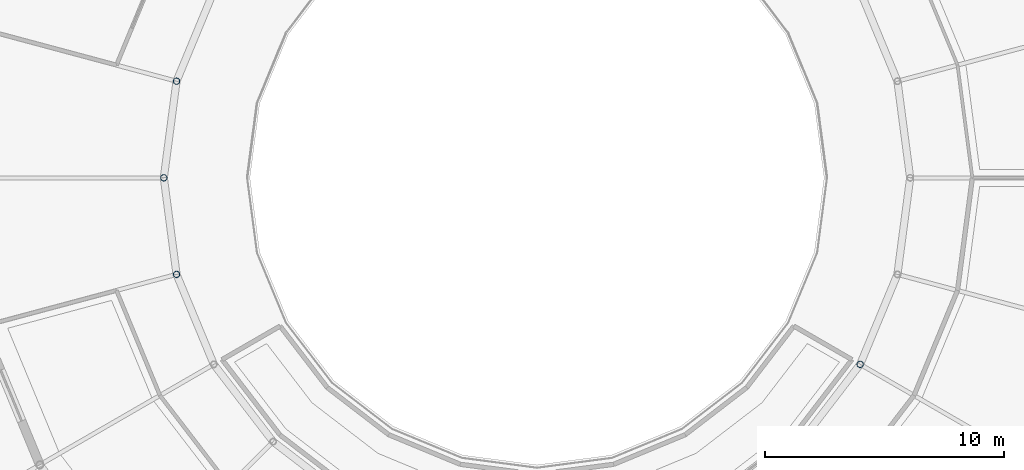
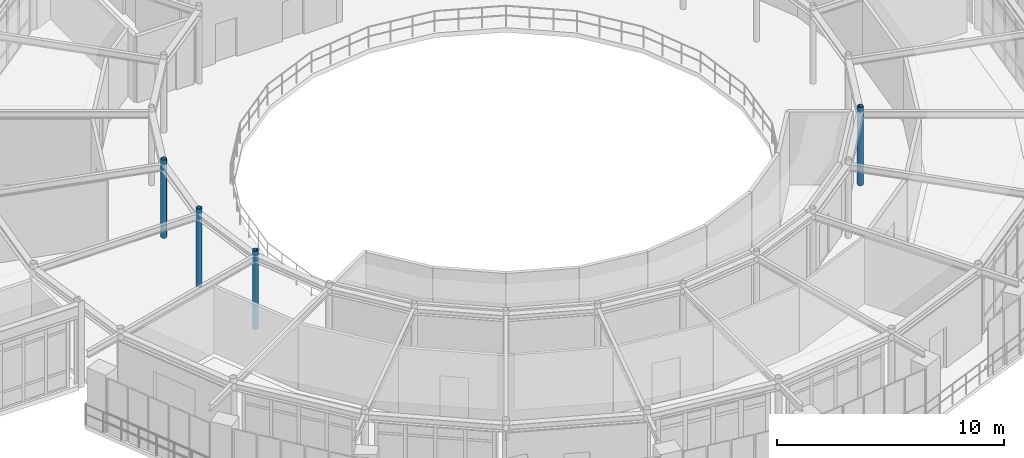
# One storey, part 8 of 90: 4 columns.
"""IFC4 building model written with IfcOpenShell, lengths in metres."""

from ifc_helpers import new_model, si_unit, derived_unit, direction, frame, origin, origin_2d, place, context, subcontext, project, spatial, hollow_circle, extrude, material, material_profile, profile_set, type_object, element, save


model = new_model("IFC4")

# Units and contexts
model_context = context("Model", 3, precision=1e-05, world=origin(), true_north=direction((0.0, 1.0)))
body_context = subcontext(model_context, "Body", "Model", "MODEL_VIEW")
ifc_project = project(units=[si_unit("LENGTHUNIT", "METRE"), si_unit("AREAUNIT", "SQUARE_METRE"), si_unit("VOLUMEUNIT", "CUBIC_METRE"), si_unit("PLANEANGLEUNIT", "RADIAN"), si_unit("MASSUNIT", "GRAM", prefix="KILO"), derived_unit("THERMALTRANSMITTANCEUNIT", [(si_unit("POWERUNIT", "WATT"), 1), (si_unit("AREAUNIT", "SQUARE_METRE"), -1), (si_unit("THERMODYNAMICTEMPERATUREUNIT", "KELVIN"), -1)])], contexts=[model_context])

# Site, building, storey
site_placement = place(None, origin())
site = spatial("IfcSite", under=ifc_project, at=site_placement, CompositionType="ELEMENT")
building_placement = place(site_placement, origin())
building = spatial("IfcBuilding", under=site, at=building_placement, Name="Yasenodar Specialist Clinic", CompositionType="ELEMENT")
storey_placement = place(building_placement, frame((0.0, 0.0, 9.0)))
storey = spatial("IfcBuildingStorey", under=building, at=storey_placement, Name="L02", CompositionType="ELEMENT", Elevation=9.0)

# Columns
ifc_material = material(Name="Steel S355", Category="steel")
ifc_material_profile = material_profile(ifc_material, hollow_circle(Radius=0.136474609375, WallThickness=0.012451171875, at=origin_2d()), Name="CHS 273x12.5")
ifc_profile_set = profile_set([ifc_material_profile], Name="Steel S355")
column_type = type_object("IfcColumnType", Name="COL-ST-CHS273", PredefinedType="COLUMN", material=ifc_profile_set)
for number, where, z_axis, x_axis, name in (
    (1, (65.931640625, 62.837646484375, 0.0), (0.0, 0.0, 1.0), (1.0, 0.0, 0.0), "L02 Drum V1 Inner Column 12"),
    (2, (65.39990234375, 58.800048828125, 0.0), (0.0, 0.0, 1.0), (1.0, 0.0, 0.0), "L02 Drum V1 Inner Column 13"),
    (3, (65.931640625, 54.762451171875, 0.0), (0.0, 0.0, 1.0), (1.0, 0.0, 0.0), "L02 Drum V1 Inner Column 14"),
    (4, (94.510009765625, 51.0, 0.0), (0.0, 0.0, 1.0), (1.0, 0.0, 0.0), "L02 Drum V1 Inner Column 23"),
):
    element("IfcColumn", number, at=place(storey_placement, frame(where, z_axis=z_axis, x_axis=x_axis)), inside=storey, type_object=column_type, Name=name, PredefinedType="COLUMN", context=body_context, shape_type="SweptSolid", body=[
        extrude(hollow_circle(Radius=0.136474609375, WallThickness=0.012451171875, at=origin_2d()), origin(), (0.0, 0.0, 1.0), 4.199951171875),
    ])

save(model, "model.ifc")
